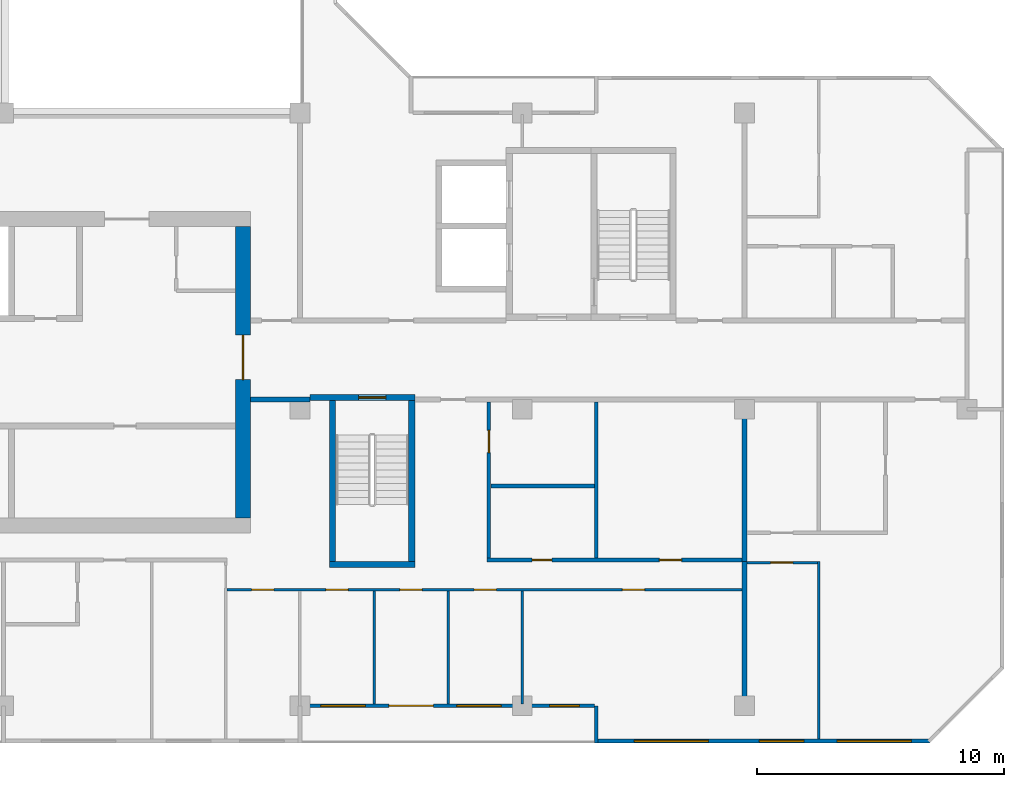
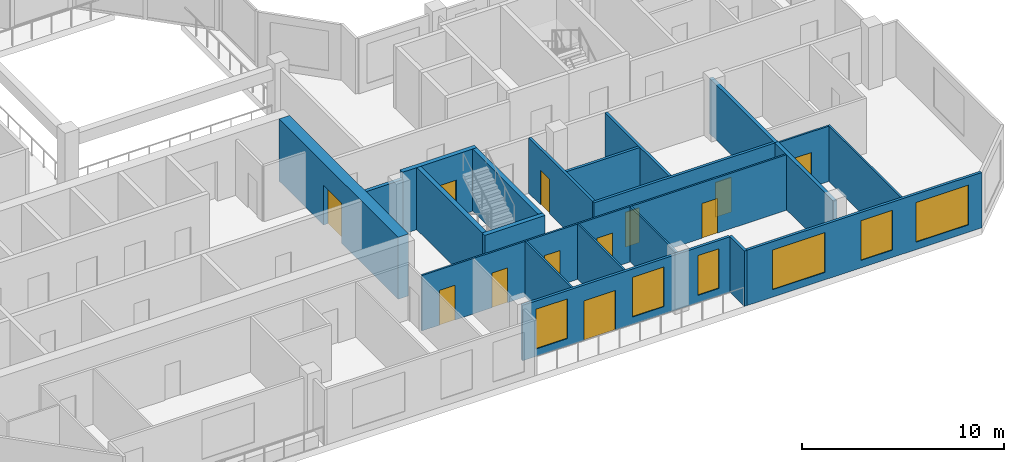
# One storey, part 6 of 13: 21 walls, 12 doors, 6 windows, 18 openings.
"""IFC4 building model written with IfcOpenShell, lengths in metres."""

import ifcopenshell
import ifcopenshell.guid

model = None  # the IFC model being written
_history = None  # IfcOwnerHistory: only IFC2X3 demands one
_inside = {}  # id of a spatial element -> (the spatial element, [elements in it])
_under = {}  # id of a project, library or spatial element -> (it, [spatial elements below it])
_declared = {}  # id of a project -> (the project, [libraries it declares])
_typed = {}  # id of a type object -> (the type object, [elements of that type])
_made_of = {}  # id of a material, layer set ... -> (it, [elements and type objects made of it])


def new_model(schema):
    """Start an empty IFC model of exactly this schema.

    Asked for "IFC4X3", IfcOpenShell would pick the latest addendum, in which some entities
    have other attributes; the version numbers below select the first issue.
    IFC2X3 requires an IfcOwnerHistory on every rooted entity: one is made here for all.
    """
    global model, _history
    if schema == "IFC4X3":
        model = ifcopenshell.file(schema_version=(4, 3, 0, 0))
    else:
        model = ifcopenshell.file(schema=schema)
    _inside.clear()
    _under.clear()
    _declared.clear()
    _typed.clear()
    _made_of.clear()
    _history = None
    if model.schema == "IFC2X3":
        org = make("IfcOrganization", Name="unknown")
        user = make(
            "IfcPersonAndOrganization",
            ThePerson=make("IfcPerson", FamilyName="unknown"),
            TheOrganization=org,
        )
        app = make(
            "IfcApplication",
            ApplicationDeveloper=org,
            Version="unknown",
            ApplicationFullName="unknown",
            ApplicationIdentifier="unknown",
        )
        _history = make(
            "IfcOwnerHistory",
            OwningUser=user,
            OwningApplication=app,
            ChangeAction="ADDED",
            CreationDate=0,
        )
    return model


def make(cls, **values):
    """One entity of the class cls with the attributes given. An attribute that is None is left unset."""
    return model.create_entity(
        cls, **{name: value for name, value in values.items() if value is not None}
    )


def rooted(cls, **values):
    """An entity with a GlobalId (a new one), such as an element, a storey or a relation."""
    return make(cls, GlobalId=ifcopenshell.guid.new(), OwnerHistory=_history, **values)


def si_unit(unit_type, name, prefix=None):
    """IfcSIUnit, for example si_unit("LENGTHUNIT", "METRE", prefix="MILLI")."""
    return make("IfcSIUnit", UnitType=unit_type, Prefix=prefix, Name=name)


def assignment(units):
    """IfcUnitAssignment: the units of a project."""
    return None if units is None else make("IfcUnitAssignment", Units=units)


def point(xyz):
    """IfcCartesianPoint."""
    return None if xyz is None else make("IfcCartesianPoint", Coordinates=xyz)


def direction(xyz):
    """IfcDirection."""
    return None if xyz is None else make("IfcDirection", DirectionRatios=xyz)


def frame(location, z_axis=None, x_axis=None):
    """IfcAxis2Placement3D, a coordinate frame: its origin and axes. An axis left out is left unset."""
    return make(
        "IfcAxis2Placement3D",
        Location=point(location),
        Axis=direction(z_axis),
        RefDirection=direction(x_axis),
    )


def frame_2d(location, x_axis=None):
    """IfcAxis2Placement2D, a coordinate frame in the plane: its origin and x axis."""
    return make(
        "IfcAxis2Placement2D", Location=point(location), RefDirection=direction(x_axis)
    )


def origin():
    """The frame at (0, 0, 0) with its axes left unset."""
    return frame((0.0, 0.0, 0.0))


def place(relative_to, where):
    """IfcLocalPlacement: puts the frame where relative to a parent placement (None: the world)."""
    return make(
        "IfcLocalPlacement", PlacementRelTo=relative_to, RelativePlacement=where
    )


def context(
    kind, dimensions, precision=None, world=None, true_north=None, identifier=None
):
    """IfcGeometricRepresentationContext, for example the 3D "Model" context."""
    return make(
        "IfcGeometricRepresentationContext",
        ContextIdentifier=identifier,
        ContextType=kind,
        CoordinateSpaceDimension=dimensions,
        Precision=precision,
        WorldCoordinateSystem=world,
        TrueNorth=true_north,
    )


def subcontext(parent, identifier, kind, view, scale=None):
    """IfcGeometricRepresentationSubContext, for example "Body" below "Model"."""
    return make(
        "IfcGeometricRepresentationSubContext",
        ContextIdentifier=identifier,
        ContextType=kind,
        ParentContext=parent,
        TargetScale=scale,
        TargetView=view,
    )


def project(units=None, contexts=None):
    """IfcProject with its units and contexts."""
    return rooted(
        "IfcProject",
        Name="project",
        RepresentationContexts=contexts,
        UnitsInContext=assignment(units),
    )


def spatial(cls, under=None, at=None, **own):
    """A site, building, storey or space (cls), placed at a placement, below another one or the project."""
    s = rooted(cls, ObjectPlacement=at, **own)
    if under is not None:
        _under.setdefault(under.id(), (under, []))[1].append(s)
    return s


def profile(cls, at=None, kind="AREA", **sizes):
    """A parametric profile (cls). Its sizes go by their IFC names, for example OverallWidth=200.0."""
    return make(cls, ProfileType=kind, Position=at, **sizes)


def rectangle(**sizes):
    """IfcRectangleProfileDef."""
    return profile("IfcRectangleProfileDef", **sizes)


def extrude(swept, where, along, depth):
    """IfcExtrudedAreaSolid: the profile swept, set in the frame where, extruded along a direction by depth."""
    return make(
        "IfcExtrudedAreaSolid",
        SweptArea=swept,
        Position=where,
        ExtrudedDirection=direction(along),
        Depth=depth,
    )


def shape(context_of_items, identifier, shape_type, items):
    """IfcShapeRepresentation: the items that make up one representation, for example the "Body"."""
    return make(
        "IfcShapeRepresentation",
        ContextOfItems=context_of_items,
        RepresentationIdentifier=identifier,
        RepresentationType=shape_type,
        Items=items,
    )


def material(Name=None, Category=None):
    """IfcMaterial."""
    return make("IfcMaterial", Name=Name, Category=Category)


def layer(
    of_material, thickness, ventilated=None, Name=None, Category=None, Priority=None
):
    """IfcMaterialLayer: one layer of a wall or slab, of a material (None: an air gap)."""
    return make(
        "IfcMaterialLayer",
        Material=of_material,
        LayerThickness=thickness,
        IsVentilated=ventilated,
        Name=Name,
        Category=Category,
        Priority=Priority,
    )


def layer_set(layers, Name=None):
    """IfcMaterialLayerSet."""
    return make("IfcMaterialLayerSet", MaterialLayers=layers, LayerSetName=Name)


def made_of(thing, what):
    """Note that an element or type object is made of a material, layer set ...; save() writes the relation."""
    if what is not None:
        _made_of.setdefault(what.id(), (what, []))[1].append(thing)
    return thing


def type_object(cls, material=None, **own):
    """A type object (cls), such as IfcWallType, which elements share."""
    return made_of(rooted(cls, **own), material)


def element(
    cls,
    number,
    at=None,
    inside=None,
    cuts=None,
    type_object=None,
    material=None,
    context=None,
    identifier="Body",
    shape_type=None,
    held_by="IfcProductDefinitionShape",
    body=None,
    shapes=None,
    **own,
):
    """One element of the class cls, such as IfcWall. Its Tag is "e" and its number.

    at: its placement. inside: the storey or other place that contains it. cuts: it is an
    opening in that element (IfcRelVoidsElement). A single representation is given by context,
    identifier, shape_type and body (its items); several are given by shapes. held_by: the class
    of the entity that holds the representations. save() writes the other relations.
    """
    e = rooted(cls, Tag="e%d" % number, ObjectPlacement=at, **own)
    if body is not None:
        shapes = [shape(context, identifier, shape_type, body)]
    if shapes is not None:
        e.Representation = make(held_by, Representations=shapes)
    if inside is not None:
        _inside.setdefault(inside.id(), (inside, []))[1].append(e)
    if cuts is not None:
        rooted(
            "IfcRelVoidsElement", RelatingBuildingElement=cuts, RelatedOpeningElement=e
        )
    if type_object is not None:
        _typed.setdefault(type_object.id(), (type_object, []))[1].append(e)
    return made_of(e, material)


def fill(opening, filler):
    """IfcRelFillsElement: the door or window that sits in an opening."""
    return rooted(
        "IfcRelFillsElement",
        RelatingOpeningElement=opening,
        RelatedBuildingElement=filler,
    )


def aggregate(whole, parts):
    """IfcRelAggregates: a whole, such as a stair, and the parts it consists of."""
    return rooted("IfcRelAggregates", RelatingObject=whole, RelatedObjects=parts)


def save(model, path):
    """Write the relations noted so far, then the file.

    IfcRelAggregates (storeys below a building ...), IfcRelContainedInSpatialStructure (elements
    in a storey), IfcRelDefinesByType, IfcRelAssociatesMaterial and IfcRelDeclares: one each for
    every whole, place, type object, material and project.
    """
    for whole, parts in _under.values():
        aggregate(whole, parts)
    for where, things in _inside.values():
        rooted(
            "IfcRelContainedInSpatialStructure",
            RelatedElements=things,
            RelatingStructure=where,
        )
    for kind, things in _typed.values():
        rooted("IfcRelDefinesByType", RelatedObjects=things, RelatingType=kind)
    for what, things in _made_of.values():
        rooted("IfcRelAssociatesMaterial", RelatedObjects=things, RelatingMaterial=what)
    for by, libraries in _declared.values():
        rooted("IfcRelDeclares", RelatingContext=by, RelatedDefinitions=libraries)
    model.write(path)


model = new_model("IFC4")

# Units and contexts
model_context = context("Model", 3, precision=1e-05, world=origin(), true_north=direction((0.0, 1.0)))
body_context = subcontext(model_context, "Body", "Model", "MODEL_VIEW")
ifc_project = project(units=[si_unit("LENGTHUNIT", "METRE"), si_unit("AREAUNIT", "SQUARE_METRE"), si_unit("VOLUMEUNIT", "CUBIC_METRE"), si_unit("PLANEANGLEUNIT", "RADIAN"), si_unit("MASSUNIT", "GRAM", prefix="KILO")], contexts=[model_context])

# Site, building, storey
site_placement = place(None, origin())
site = spatial("IfcSite", under=ifc_project, at=site_placement, CompositionType="ELEMENT")
building_placement = place(site_placement, origin())
building = spatial("IfcBuilding", under=site, at=building_placement, Name="Chenar Terraces", CompositionType="ELEMENT")
storey_placement = place(building_placement, frame((0.0, 0.0, 299.64990234375)))
storey = spatial("IfcBuildingStorey", under=building, at=storey_placement, Name="L70", CompositionType="ELEMENT", Elevation=299.64990234375)

# Wall
ifc_material_1 = material(Name="Concrete C50/60", Category="concrete")
ifc_layer_1 = layer(ifc_material_1, 0.25)
ifc_layer_set_1 = layer_set([ifc_layer_1], Name="Concrete C50/60")
wall_type_1 = type_object("IfcWallType", Name="Core wall 250 Concrete C50/60", PredefinedType="SHEAR", material=ifc_layer_set_1)
wall_1_placement = place(storey_placement, frame((37.199951171875, 5.72509765625, 0.0), z_axis=(0.0, 0.0, 1.0), x_axis=(1.0, 0.0, 0.0)))
element("IfcWall", 1, at=wall_1_placement, inside=storey, type_object=wall_type_1, Name="Core wall ST2_S L70", PredefinedType="SHEAR", context=body_context, shape_type="SweptSolid", body=[
    extrude(rectangle(XDim=3.449951171875, YDim=0.25, at=frame_2d((1.72509765625, 0.0))), origin(), (0.0, 0.0, 1.0), 3.75),
])

# Wall, opening, door
wall_2_placement = place(storey_placement, frame((36.39990234375, 12.47509765625, 0.0), z_axis=(0.0, 0.0, 1.0), x_axis=(1.0, 0.0, 0.0)))
wall_2 = element("IfcWall", 2, at=wall_2_placement, inside=storey, type_object=wall_type_1, Name="Core wall ST2_N L70", PredefinedType="SHEAR", context=body_context, shape_type="SweptSolid", body=[
    extrude(rectangle(XDim=4.25, YDim=0.25, at=frame_2d((2.125, 0.0))), origin(), (0.0, 0.0, 1.0), 3.75),
])
opening_1_placement = place(wall_2_placement, frame((1.97509765625, 0.0, 0.0)))
opening_1 = element("IfcOpeningElement", 3, at=opening_1_placement, cuts=wall_2, Name="Opening DL70-C7", PredefinedType="OPENING", context=body_context, shape_type="SweptSolid", body=[
    extrude(rectangle(XDim=1.10009765625, YDim=2.199951171875, at=frame_2d((0.550048828125, 1.10009765625))), frame((0.0, 0.135009765625, 0.0), z_axis=(0.0, -1.0, 0.0), x_axis=(1.0, 0.0, 0.0)), (0.0, 0.0, 1.0), 0.27001953125),
])
ifc_material_2 = material(Name="Steel-framed fire-resisting door leaf", Category="steel")
door_type_1 = type_object("IfcDoorType", Name="Stair fire door FD60 1100 x 2200", OperationType="SINGLE_SWING_LEFT", PredefinedType="DOOR", material=ifc_material_2)
door_1_placement = place(opening_1_placement, frame((1.10009765625, 0.0, 0.0), z_axis=(0.0, 0.0, 1.0), x_axis=(-1.0, 0.0, 0.0)))
door_1 = element("IfcDoor", 4, at=door_1_placement, inside=storey, type_object=door_type_1, Name="Stair door DL70-C7", OperationType="SINGLE_SWING_LEFT", OverallHeight=2.199951171875, OverallWidth=1.10009765625, PredefinedType="DOOR", context=body_context, shape_type="SweptSolid", body=[
    extrude(rectangle(XDim=1.10009765625, YDim=2.199951171875, at=frame_2d((0.550048828125, 1.10009765625))), frame((0.0, 0.02490234375, 0.0), z_axis=(0.0, -1.0, 0.0), x_axis=(1.0, 0.0, 0.0)), (0.0, 0.0, 1.0), 0.050048828125),
])
fill(opening_1, door_1)

# Walls
for number, where, z_axis, x_axis, name in (
    (5, (37.324951171875, 5.85009765625, 0.0), (0.0, 0.0, 1.0), (0.0, 1.0, 0.0), "Core wall ST2_W L70"),
    (6, (40.52490234375, 5.85009765625, 0.0), (0.0, 0.0, 1.0), (0.0, 1.0, 0.0), "Core wall ST2_E L70"),
):
    element("IfcWall", number, at=place(storey_placement, frame(where, z_axis=z_axis, x_axis=x_axis)), inside=storey, type_object=wall_type_1, Name=name, PredefinedType="SHEAR", context=body_context, shape_type="SweptSolid", body=[
        extrude(rectangle(XDim=6.5, YDim=0.25, at=frame_2d((3.25, 0.0))), origin(), (0.0, 0.0, 1.0), 3.75),
    ])

# Wall, opening, door
ifc_material_3 = material(Name="Concrete C50/60", Category="concrete")
ifc_layer_2 = layer(ifc_material_3, 0.60009765625)
ifc_layer_set_2 = layer_set([ifc_layer_2], Name="Concrete C50/60")
wall_type_2 = type_object("IfcWallType", Name="Core wall 600 Concrete C50/60", PredefinedType="SHEAR", material=ifc_layer_set_2)
wall_3_placement = place(storey_placement, frame((33.699951171875, 7.60009765625, 0.0), z_axis=(0.0, 0.0, 1.0), x_axis=(0.0, 1.0, 0.0)))
wall_3 = element("IfcWall", 7, at=wall_3_placement, inside=storey, type_object=wall_type_2, Name="Core wall E L70", PredefinedType="SHEAR", context=body_context, shape_type="SweptSolid", body=[
    extrude(rectangle(XDim=11.7998046875, YDim=0.60009765625, at=frame_2d((5.89990234375, 0.0))), origin(), (0.0, 0.0, 1.0), 3.75),
])
opening_2_placement = place(wall_3_placement, frame((5.60009765625, 0.0, 0.0)))
opening_2 = element("IfcOpeningElement", 8, at=opening_2_placement, cuts=wall_3, Name="Opening DL70-C1", PredefinedType="OPENING", context=body_context, shape_type="SweptSolid", body=[
    extrude(rectangle(XDim=1.800048828125, YDim=2.39990234375, at=frame_2d((0.89990234375, 1.199951171875))), frame((0.0, 0.31005859375, 0.0), z_axis=(0.0, -1.0, 0.0), x_axis=(1.0, 0.0, 0.0)), (0.0, 0.0, 1.0), 0.6201171875),
])
ifc_material_4 = material(Name="Steel-framed fire-resisting door leaf", Category="steel")
door_type_2 = type_object("IfcDoorType", Name="Core entrance double fire door FD60 1800 x 2400", OperationType="DOUBLE_DOOR_SINGLE_SWING", PredefinedType="DOOR", material=ifc_material_4)
door_2_placement = place(opening_2_placement, origin())
door_2 = element("IfcDoor", 9, at=door_2_placement, inside=storey, type_object=door_type_2, Name="Core door DL70-C1", OperationType="DOUBLE_DOOR_SINGLE_SWING", OverallHeight=2.39990234375, OverallWidth=1.800048828125, PredefinedType="DOOR", context=body_context, shape_type="SweptSolid", body=[
    extrude(rectangle(XDim=1.800048828125, YDim=2.39990234375, at=frame_2d((0.89990234375, 1.199951171875))), frame((0.0, 0.02490234375, 0.0), z_axis=(0.0, -1.0, 0.0), x_axis=(1.0, 0.0, 0.0)), (0.0, 0.0, 1.0), 0.050048828125),
])
fill(opening_2, door_2)

# Wall
ifc_material_5 = material(Name="Gypsum board on steel studs with fire boards", Category="steel")
ifc_layer_3 = layer(ifc_material_5, 0.199951171875)
ifc_layer_set_3 = layer_set([ifc_layer_3], Name="Gypsum board on steel studs with fire boards")
wall_type_3 = type_object("IfcWallType", Name="Corridor wall 200", PredefinedType="PARTITIONING", material=ifc_layer_set_3)
wall_4_placement = place(storey_placement, frame((34.0, 12.39990234375, 0.0), z_axis=(0.0, 0.0, 1.0), x_axis=(1.0, 0.0, 0.0)))
element("IfcWall", 10, at=wall_4_placement, inside=storey, type_object=wall_type_3, Name="Partition L70-051", PredefinedType="PARTITIONING", context=body_context, shape_type="SweptSolid", body=[
    extrude(rectangle(XDim=2.40087890625, YDim=0.199951171875, at=frame_2d((1.200439453125, 0.0))), origin(), (0.0, 0.0, 1.0), 3.35009765625),
])

# Wall, openings, windows
ifc_material_6 = material(Name="Aluminium framed glazing", Category="aluminium")
ifc_layer_4 = layer(ifc_material_6, 0.14990234375)
ifc_layer_set_4 = layer_set([ifc_layer_4], Name="Aluminium framed glazing")
wall_type_4 = type_object("IfcWallType", Name="Glazed flush facade wall 150", PredefinedType="SOLIDWALL", material=ifc_layer_set_4)
wall_5_placement = place(storey_placement, frame((48.074951171875, -1.425048828125, 0.0), z_axis=(0.0, 0.0, 1.0), x_axis=(1.0, 0.0, 0.0)))
wall_5 = element("IfcWall", 11, at=wall_5_placement, inside=storey, type_object=wall_type_4, Name="Glazed flush facade wall", PredefinedType="SOLIDWALL", context=body_context, shape_type="SweptSolid", body=[
    extrude(rectangle(XDim=13.425048828125, YDim=0.14990234375, at=frame_2d((6.71240234375, 0.0))), origin(), (0.0, 0.0, 1.0), 3.35009765625),
])
opening_3_placement = place(wall_5_placement, frame((1.46240234375, 0.0, 0.449951171875)))
opening_3 = element("IfcOpeningElement", 12, at=opening_3_placement, cuts=wall_5, Name="Opening W300x240", PredefinedType="OPENING", context=body_context, shape_type="SweptSolid", body=[
    extrude(rectangle(XDim=3.0, YDim=2.39990234375, at=frame_2d((1.5, 1.199951171875))), frame((0.0, 0.0849609375, 0.0), z_axis=(0.0, -1.0, 0.0), x_axis=(1.0, 0.0, 0.0)), (0.0, 0.0, 1.0), 0.169921875),
])
opening_4_placement = place(wall_5_placement, frame((6.52490234375, 0.0, 0.449951171875)))
opening_4 = element("IfcOpeningElement", 13, at=opening_4_placement, cuts=wall_5, Name="Opening W180x240", PredefinedType="OPENING", context=body_context, shape_type="SweptSolid", body=[
    extrude(rectangle(XDim=1.800048828125, YDim=2.39990234375, at=frame_2d((0.89990234375, 1.199951171875))), frame((0.0, 0.0849609375, 0.0), z_axis=(0.0, -1.0, 0.0), x_axis=(1.0, 0.0, 0.0)), (0.0, 0.0, 1.0), 0.169921875),
])
opening_5_placement = place(wall_5_placement, frame((9.675048828125, 0.0, 0.449951171875)))
opening_5 = element("IfcOpeningElement", 14, at=opening_5_placement, cuts=wall_5, Name="Opening W300x240", PredefinedType="OPENING", context=body_context, shape_type="SweptSolid", body=[
    extrude(rectangle(XDim=3.0, YDim=2.39990234375, at=frame_2d((1.5, 1.199951171875))), frame((0.0, 0.0849609375, 0.0), z_axis=(0.0, -1.0, 0.0), x_axis=(1.0, 0.0, 0.0)), (0.0, 0.0, 1.0), 0.169921875),
])
ifc_material_7 = material(Name="Low emissivity double glazing, aluminium frame", Category="aluminium")
window_type_1 = type_object("IfcWindowType", Name="Fixed light 1800 x 2400", PartitioningType="SINGLE_PANEL", PredefinedType="WINDOW", material=ifc_material_7)
window_1_placement = place(opening_4_placement, origin())
window_1 = element("IfcWindow", 15, at=window_1_placement, inside=storey, type_object=window_type_1, Name="Window", OverallHeight=2.39990234375, OverallWidth=1.800048828125, PartitioningType="SINGLE_PANEL", PredefinedType="WINDOW", context=body_context, shape_type="SweptSolid", body=[
    extrude(rectangle(XDim=1.800048828125, YDim=2.39990234375, at=frame_2d((0.89990234375, 1.199951171875))), frame((0.0, 0.030029296875, 0.0), z_axis=(0.0, -1.0, 0.0), x_axis=(1.0, 0.0, 0.0)), (0.0, 0.0, 1.0), 0.06005859375),
])
fill(opening_4, window_1)
ifc_material_8 = material(Name="Low emissivity double glazing, aluminium frame", Category="aluminium")
window_type_2 = type_object("IfcWindowType", Name="Fixed light 3000 x 2400", PartitioningType="SINGLE_PANEL", PredefinedType="WINDOW", material=ifc_material_8)
window_2_placement = place(opening_3_placement, origin())
window_2 = element("IfcWindow", 16, at=window_2_placement, inside=storey, type_object=window_type_2, Name="Window", OverallHeight=2.39990234375, OverallWidth=3.0, PartitioningType="SINGLE_PANEL", PredefinedType="WINDOW", context=body_context, shape_type="SweptSolid", body=[
    extrude(rectangle(XDim=3.0, YDim=2.39990234375, at=frame_2d((1.5, 1.199951171875))), frame((0.0, 0.030029296875, 0.0), z_axis=(0.0, -1.0, 0.0), x_axis=(1.0, 0.0, 0.0)), (0.0, 0.0, 1.0), 0.06005859375),
])
fill(opening_3, window_2)
window_3_placement = place(opening_5_placement, origin())
window_3 = element("IfcWindow", 17, at=window_3_placement, inside=storey, type_object=window_type_2, Name="Window", OverallHeight=2.39990234375, OverallWidth=3.0, PartitioningType="SINGLE_PANEL", PredefinedType="WINDOW", context=body_context, shape_type="SweptSolid", body=[
    extrude(rectangle(XDim=3.0, YDim=2.39990234375, at=frame_2d((1.5, 1.199951171875))), frame((0.0, 0.030029296875, 0.0), z_axis=(0.0, -1.0, 0.0), x_axis=(1.0, 0.0, 0.0)), (0.0, 0.0, 1.0), 0.06005859375),
])
fill(opening_5, window_3)

# Wall, openings, windows, door
ifc_material_9 = material(Name="Aluminium framed glazing", Category="aluminium")
ifc_layer_5 = layer(ifc_material_9, 0.14990234375)
ifc_layer_set_5 = layer_set([ifc_layer_5], Name="Aluminium framed glazing")
wall_type_5 = type_object("IfcWallType", Name="Glazed loggia back wall 150", PredefinedType="SOLIDWALL", material=ifc_layer_set_5)
wall_6_placement = place(storey_placement, frame((36.074951171875, 0.0, 0.0), z_axis=(0.0, 0.0, 1.0), x_axis=(1.0, 0.0, 0.0)))
wall_6 = element("IfcWall", 18, at=wall_6_placement, inside=storey, type_object=wall_type_5, Name="Glazed loggia back wall", PredefinedType="SOLIDWALL", context=body_context, shape_type="SweptSolid", body=[
    extrude(rectangle(XDim=11.85009765625, YDim=0.14990234375, at=frame_2d((5.925048828125, 0.0))), origin(), (0.0, 0.0, 1.0), 3.35009765625),
])
opening_6_placement = place(wall_6_placement, frame((0.77490234375, 0.0, 0.449951171875)))
opening_6 = element("IfcOpeningElement", 19, at=opening_6_placement, cuts=wall_6, Name="Opening W180x240", PredefinedType="OPENING", context=body_context, shape_type="SweptSolid", body=[
    extrude(rectangle(XDim=1.800048828125, YDim=2.39990234375, at=frame_2d((0.89990234375, 1.199951171875))), frame((0.0, 0.0849609375, 0.0), z_axis=(0.0, -1.0, 0.0), x_axis=(1.0, 0.0, 0.0)), (0.0, 0.0, 1.0), 0.169921875),
])
opening_7_placement = place(wall_6_placement, frame((3.52490234375, 0.0, 0.0)))
opening_7 = element("IfcOpeningElement", 20, at=opening_7_placement, cuts=wall_6, Name="Opening DL70-G5", PredefinedType="OPENING", context=body_context, shape_type="SweptSolid", body=[
    extrude(rectangle(XDim=1.800048828125, YDim=2.39990234375, at=frame_2d((0.89990234375, 1.199951171875))), frame((0.0, 0.0849609375, 0.0), z_axis=(0.0, -1.0, 0.0), x_axis=(1.0, 0.0, 0.0)), (0.0, 0.0, 1.0), 0.169921875),
])
opening_8_placement = place(wall_6_placement, frame((6.27490234375, 0.0, 0.449951171875)))
opening_8 = element("IfcOpeningElement", 21, at=opening_8_placement, cuts=wall_6, Name="Opening W180x240", PredefinedType="OPENING", context=body_context, shape_type="SweptSolid", body=[
    extrude(rectangle(XDim=1.800048828125, YDim=2.39990234375, at=frame_2d((0.89990234375, 1.199951171875))), frame((0.0, 0.0849609375, 0.0), z_axis=(0.0, -1.0, 0.0), x_axis=(1.0, 0.0, 0.0)), (0.0, 0.0, 1.0), 0.169921875),
])
opening_9_placement = place(wall_6_placement, frame((10.03759765625, 0.0, 0.449951171875)))
opening_9 = element("IfcOpeningElement", 22, at=opening_9_placement, cuts=wall_6, Name="Opening W120x240", PredefinedType="OPENING", context=body_context, shape_type="SweptSolid", body=[
    extrude(rectangle(XDim=1.199951171875, YDim=2.39990234375, at=frame_2d((0.60009765625, 1.199951171875))), frame((0.0, 0.0849609375, 0.0), z_axis=(0.0, -1.0, 0.0), x_axis=(1.0, 0.0, 0.0)), (0.0, 0.0, 1.0), 0.169921875),
])
ifc_material_10 = material(Name="Low emissivity double glazing, aluminium frame", Category="aluminium")
window_type_3 = type_object("IfcWindowType", Name="Fixed light 1200 x 2400", PartitioningType="SINGLE_PANEL", PredefinedType="WINDOW", material=ifc_material_10)
window_4_placement = place(opening_9_placement, origin())
window_4 = element("IfcWindow", 23, at=window_4_placement, inside=storey, type_object=window_type_3, Name="Window", OverallHeight=2.39990234375, OverallWidth=1.199951171875, PartitioningType="SINGLE_PANEL", PredefinedType="WINDOW", context=body_context, shape_type="SweptSolid", body=[
    extrude(rectangle(XDim=1.199951171875, YDim=2.39990234375, at=frame_2d((0.60009765625, 1.199951171875))), frame((0.0, 0.030029296875, 0.0), z_axis=(0.0, -1.0, 0.0), x_axis=(1.0, 0.0, 0.0)), (0.0, 0.0, 1.0), 0.06005859375),
])
fill(opening_9, window_4)
window_5_placement = place(opening_6_placement, origin())
window_5 = element("IfcWindow", 24, at=window_5_placement, inside=storey, type_object=window_type_1, Name="Window", OverallHeight=2.39990234375, OverallWidth=1.800048828125, PartitioningType="SINGLE_PANEL", PredefinedType="WINDOW", context=body_context, shape_type="SweptSolid", body=[
    extrude(rectangle(XDim=1.800048828125, YDim=2.39990234375, at=frame_2d((0.89990234375, 1.199951171875))), frame((0.0, 0.030029296875, 0.0), z_axis=(0.0, -1.0, 0.0), x_axis=(1.0, 0.0, 0.0)), (0.0, 0.0, 1.0), 0.06005859375),
])
fill(opening_6, window_5)
window_6_placement = place(opening_8_placement, origin())
window_6 = element("IfcWindow", 25, at=window_6_placement, inside=storey, type_object=window_type_1, Name="Window", OverallHeight=2.39990234375, OverallWidth=1.800048828125, PartitioningType="SINGLE_PANEL", PredefinedType="WINDOW", context=body_context, shape_type="SweptSolid", body=[
    extrude(rectangle(XDim=1.800048828125, YDim=2.39990234375, at=frame_2d((0.89990234375, 1.199951171875))), frame((0.0, 0.030029296875, 0.0), z_axis=(0.0, -1.0, 0.0), x_axis=(1.0, 0.0, 0.0)), (0.0, 0.0, 1.0), 0.06005859375),
])
fill(opening_8, window_6)
ifc_material_11 = material(Name="Low emissivity double glazing, aluminium frame", Category="aluminium")
door_type_3 = type_object("IfcDoorType", Name="Loggia glazed double door 1800 x 2400", OperationType="DOUBLE_DOOR_SINGLE_SWING", PredefinedType="DOOR", material=ifc_material_11)
door_3_placement = place(opening_7_placement, frame((1.800048828125, 0.0, 0.0), z_axis=(0.0, 0.0, 1.0), x_axis=(-1.0, 0.0, 0.0)))
door_3 = element("IfcDoor", 26, at=door_3_placement, inside=storey, type_object=door_type_3, Name="Loggia glazed door", OperationType="DOUBLE_DOOR_SINGLE_SWING", OverallHeight=2.39990234375, OverallWidth=1.800048828125, PredefinedType="DOOR", context=body_context, shape_type="SweptSolid", body=[
    extrude(rectangle(XDim=1.800048828125, YDim=2.39990234375, at=frame_2d((0.89990234375, 1.199951171875))), frame((0.0, 0.02490234375, 0.0), z_axis=(0.0, -1.0, 0.0), x_axis=(1.0, 0.0, 0.0)), (0.0, 0.0, 1.0), 0.050048828125),
])
fill(opening_7, door_3)

# Wall, openings, doors
ifc_material_12 = material(Name="Gypsum board on steel studs", Category="steel")
ifc_layer_6 = layer(ifc_material_12, 0.10009765625)
ifc_layer_set_6 = layer_set([ifc_layer_6], Name="Gypsum board on steel studs")
wall_type_6 = type_object("IfcWallType", Name="Gypsum partition 100", PredefinedType="PARTITIONING", material=ifc_layer_set_6)
wall_7_placement = place(storey_placement, frame((33.050048828125, 4.699951171875, 0.0), z_axis=(0.0, 0.0, 1.0), x_axis=(1.0, 0.0, 0.0)))
wall_7 = element("IfcWall", 27, at=wall_7_placement, inside=storey, type_object=wall_type_6, Name="Partition L70-050", PredefinedType="PARTITIONING", context=body_context, shape_type="SweptSolid", body=[
    extrude(rectangle(XDim=20.849853515625, YDim=0.10009765625, at=frame_2d((10.4248046875, 0.0))), origin(), (0.0, 0.0, 1.0), 3.35009765625),
])
opening_10_placement = place(wall_7_placement, frame((1.0, 0.0, 0.0)))
opening_10 = element("IfcOpeningElement", 28, at=opening_10_placement, cuts=wall_7, Name="Opening DL70-35", PredefinedType="OPENING", context=body_context, shape_type="SweptSolid", body=[
    extrude(rectangle(XDim=0.89990234375, YDim=2.10009765625, at=frame_2d((0.449951171875, 1.050048828125))), frame((0.0, 0.06005859375, 0.0), z_axis=(0.0, -1.0, 0.0), x_axis=(1.0, 0.0, 0.0)), (0.0, 0.0, 1.0), 0.1201171875),
])
opening_11_placement = place(wall_7_placement, frame((4.0, 0.0, 0.0)))
opening_11 = element("IfcOpeningElement", 29, at=opening_11_placement, cuts=wall_7, Name="Opening DL70-36", PredefinedType="OPENING", context=body_context, shape_type="SweptSolid", body=[
    extrude(rectangle(XDim=0.89990234375, YDim=2.10009765625, at=frame_2d((0.449951171875, 1.050048828125))), frame((0.0, 0.06005859375, 0.0), z_axis=(0.0, -1.0, 0.0), x_axis=(1.0, 0.0, 0.0)), (0.0, 0.0, 1.0), 0.1201171875),
])
opening_12_placement = place(wall_7_placement, frame((7.0, 0.0, 0.0)))
opening_12 = element("IfcOpeningElement", 30, at=opening_12_placement, cuts=wall_7, Name="Opening DL70-37", PredefinedType="OPENING", context=body_context, shape_type="SweptSolid", body=[
    extrude(rectangle(XDim=0.89990234375, YDim=2.10009765625, at=frame_2d((0.449951171875, 1.050048828125))), frame((0.0, 0.06005859375, 0.0), z_axis=(0.0, -1.0, 0.0), x_axis=(1.0, 0.0, 0.0)), (0.0, 0.0, 1.0), 0.1201171875),
])
opening_13_placement = place(wall_7_placement, frame((10.0, 0.0, 0.0)))
opening_13 = element("IfcOpeningElement", 31, at=opening_13_placement, cuts=wall_7, Name="Opening DL70-38", PredefinedType="OPENING", context=body_context, shape_type="SweptSolid", body=[
    extrude(rectangle(XDim=0.89990234375, YDim=2.10009765625, at=frame_2d((0.449951171875, 1.050048828125))), frame((0.0, 0.06005859375, 0.0), z_axis=(0.0, -1.0, 0.0), x_axis=(1.0, 0.0, 0.0)), (0.0, 0.0, 1.0), 0.1201171875),
])
opening_14_placement = place(wall_7_placement, frame((16.0, 0.0, 0.0)))
opening_14 = element("IfcOpeningElement", 32, at=opening_14_placement, cuts=wall_7, Name="Opening DL70-46", PredefinedType="OPENING", context=body_context, shape_type="SweptSolid", body=[
    extrude(rectangle(XDim=0.89990234375, YDim=2.10009765625, at=frame_2d((0.449951171875, 1.050048828125))), frame((0.0, 0.06005859375, 0.0), z_axis=(0.0, -1.0, 0.0), x_axis=(1.0, 0.0, 0.0)), (0.0, 0.0, 1.0), 0.1201171875),
])
ifc_material_13 = material(Name="Veneered timber door leaf", Category="wood")
door_type_4 = type_object("IfcDoorType", Name="Door 900 x 2100", OperationType="SINGLE_SWING_LEFT", PredefinedType="DOOR", material=ifc_material_13)
door_4_placement = place(opening_10_placement, frame((0.89990234375, 0.0, 0.0), z_axis=(0.0, 0.0, 1.0), x_axis=(-1.0, 0.0, 0.0)))
door_4 = element("IfcDoor", 33, at=door_4_placement, inside=storey, type_object=door_type_4, Name="Door DL70-35", OperationType="SINGLE_SWING_LEFT", OverallHeight=2.10009765625, OverallWidth=0.89990234375, PredefinedType="DOOR", context=body_context, shape_type="SweptSolid", body=[
    extrude(rectangle(XDim=0.89990234375, YDim=2.10009765625, at=frame_2d((0.449951171875, 1.050048828125))), frame((0.0, 0.02490234375, 0.0), z_axis=(0.0, -1.0, 0.0), x_axis=(1.0, 0.0, 0.0)), (0.0, 0.0, 1.0), 0.050048828125),
])
fill(opening_10, door_4)
door_5_placement = place(opening_11_placement, frame((0.89990234375, 0.0, 0.0), z_axis=(0.0, 0.0, 1.0), x_axis=(-1.0, 0.0, 0.0)))
door_5 = element("IfcDoor", 34, at=door_5_placement, inside=storey, type_object=door_type_4, Name="Door DL70-36", OperationType="SINGLE_SWING_LEFT", OverallHeight=2.10009765625, OverallWidth=0.89990234375, PredefinedType="DOOR", context=body_context, shape_type="SweptSolid", body=[
    extrude(rectangle(XDim=0.89990234375, YDim=2.10009765625, at=frame_2d((0.449951171875, 1.050048828125))), frame((0.0, 0.02490234375, 0.0), z_axis=(0.0, -1.0, 0.0), x_axis=(1.0, 0.0, 0.0)), (0.0, 0.0, 1.0), 0.050048828125),
])
fill(opening_11, door_5)
door_6_placement = place(opening_12_placement, frame((0.89990234375, 0.0, 0.0), z_axis=(0.0, 0.0, 1.0), x_axis=(-1.0, 0.0, 0.0)))
door_6 = element("IfcDoor", 35, at=door_6_placement, inside=storey, type_object=door_type_4, Name="Door DL70-37", OperationType="SINGLE_SWING_LEFT", OverallHeight=2.10009765625, OverallWidth=0.89990234375, PredefinedType="DOOR", context=body_context, shape_type="SweptSolid", body=[
    extrude(rectangle(XDim=0.89990234375, YDim=2.10009765625, at=frame_2d((0.449951171875, 1.050048828125))), frame((0.0, 0.02490234375, 0.0), z_axis=(0.0, -1.0, 0.0), x_axis=(1.0, 0.0, 0.0)), (0.0, 0.0, 1.0), 0.050048828125),
])
fill(opening_12, door_6)
door_7_placement = place(opening_13_placement, frame((0.89990234375, 0.0, 0.0), z_axis=(0.0, 0.0, 1.0), x_axis=(-1.0, 0.0, 0.0)))
door_7 = element("IfcDoor", 36, at=door_7_placement, inside=storey, type_object=door_type_4, Name="Door DL70-38", OperationType="SINGLE_SWING_LEFT", OverallHeight=2.10009765625, OverallWidth=0.89990234375, PredefinedType="DOOR", context=body_context, shape_type="SweptSolid", body=[
    extrude(rectangle(XDim=0.89990234375, YDim=2.10009765625, at=frame_2d((0.449951171875, 1.050048828125))), frame((0.0, 0.02490234375, 0.0), z_axis=(0.0, -1.0, 0.0), x_axis=(1.0, 0.0, 0.0)), (0.0, 0.0, 1.0), 0.050048828125),
])
fill(opening_13, door_7)
door_8_placement = place(opening_14_placement, frame((0.89990234375, 0.0, 0.0), z_axis=(0.0, 0.0, 1.0), x_axis=(-1.0, 0.0, 0.0)))
door_8 = element("IfcDoor", 37, at=door_8_placement, inside=storey, type_object=door_type_4, Name="Door DL70-46", OperationType="SINGLE_SWING_LEFT", OverallHeight=2.10009765625, OverallWidth=0.89990234375, PredefinedType="DOOR", context=body_context, shape_type="SweptSolid", body=[
    extrude(rectangle(XDim=0.89990234375, YDim=2.10009765625, at=frame_2d((0.449951171875, 1.050048828125))), frame((0.0, 0.02490234375, 0.0), z_axis=(0.0, -1.0, 0.0), x_axis=(1.0, 0.0, 0.0)), (0.0, 0.0, 1.0), 0.050048828125),
])
fill(opening_14, door_8)

# Walls
for number, where, z_axis, x_axis, name in (
    (38, (39.0, 0.073974609375, 0.0), (0.0, 0.0, 1.0), (0.0, 1.0, 0.0), "Partition L70-055"),
    (39, (42.0, 0.073974609375, 0.0), (0.0, 0.0, 1.0), (0.0, 1.0, 0.0), "Partition L70-057"),
    (40, (45.0, 0.073974609375, 0.0), (0.0, 0.0, 1.0), (0.0, 1.0, 0.0), "Partition L70-061"),
):
    element("IfcWall", number, at=place(storey_placement, frame(where, z_axis=z_axis, x_axis=x_axis)), inside=storey, type_object=wall_type_6, Name=name, PredefinedType="PARTITIONING", context=body_context, shape_type="SweptSolid", body=[
        extrude(rectangle(XDim=4.575927734375, YDim=0.10009765625, at=frame_2d((2.2880859375, 0.0))), origin(), (0.0, 0.0, 1.0), 3.35009765625),
    ])

# Wall, opening, door
wall_8_placement = place(storey_placement, frame((54.10009765625, 5.800048828125, 0.0), z_axis=(0.0, 0.0, 1.0), x_axis=(1.0, 0.0, 0.0)))
wall_8 = element("IfcWall", 41, at=wall_8_placement, inside=storey, type_object=wall_type_6, Name="Partition L70-068", PredefinedType="PARTITIONING", context=body_context, shape_type="SweptSolid", body=[
    extrude(rectangle(XDim=2.849853515625, YDim=0.10009765625, at=frame_2d((1.4248046875, 0.0))), origin(), (0.0, 0.0, 1.0), 3.35009765625),
])
opening_15_placement = place(wall_8_placement, frame((0.949951171875, 0.0, 0.0)))
opening_15 = element("IfcOpeningElement", 42, at=opening_15_placement, cuts=wall_8, Name="Opening DL70-9", PredefinedType="OPENING", context=body_context, shape_type="SweptSolid", body=[
    extrude(rectangle(XDim=0.89990234375, YDim=2.10009765625, at=frame_2d((0.449951171875, 1.050048828125))), frame((0.0, 0.06005859375, 0.0), z_axis=(0.0, -1.0, 0.0), x_axis=(1.0, 0.0, 0.0)), (0.0, 0.0, 1.0), 0.1201171875),
])
door_9_placement = place(opening_15_placement, frame((0.89990234375, 0.0, 0.0), z_axis=(0.0, 0.0, 1.0), x_axis=(-1.0, 0.0, 0.0)))
door_9 = element("IfcDoor", 43, at=door_9_placement, inside=storey, type_object=door_type_4, Name="Door DL70-9", OperationType="SINGLE_SWING_LEFT", OverallHeight=2.10009765625, OverallWidth=0.89990234375, PredefinedType="DOOR", context=body_context, shape_type="SweptSolid", body=[
    extrude(rectangle(XDim=0.89990234375, YDim=2.10009765625, at=frame_2d((0.449951171875, 1.050048828125))), frame((0.0, 0.02490234375, 0.0), z_axis=(0.0, -1.0, 0.0), x_axis=(1.0, 0.0, 0.0)), (0.0, 0.0, 1.0), 0.050048828125),
])
fill(opening_15, door_9)

# Walls
wall_9_placement = place(storey_placement, frame((57.0, -1.35009765625, 0.0), z_axis=(0.0, 0.0, 1.0), x_axis=(0.0, 1.0, 0.0)))
element("IfcWall", 44, at=wall_9_placement, inside=storey, type_object=wall_type_6, Name="Partition L70-072", PredefinedType="PARTITIONING", context=body_context, shape_type="SweptSolid", body=[
    extrude(rectangle(XDim=7.2001953125, YDim=0.10009765625, at=frame_2d((3.60009765625, 0.0))), origin(), (0.0, 0.0, 1.0), 3.35009765625),
])
ifc_material_14 = material(Name="Terracotta cladding on insulated backing", Category="masonry")
ifc_layer_7 = layer(ifc_material_14, 0.14990234375)
ifc_layer_set_7 = layer_set([ifc_layer_7], Name="Terracotta cladding on insulated backing")
wall_type_7 = type_object("IfcWallType", Name="Loggia return wall 150", PredefinedType="SOLIDWALL", material=ifc_layer_set_7)
wall_10_placement = place(storey_placement, frame((48.0, -1.5, 0.0), z_axis=(0.0, 0.0, 1.0), x_axis=(0.0, 1.0, 0.0)))
element("IfcWall", 45, at=wall_10_placement, inside=storey, type_object=wall_type_7, Name="Loggia return wall", PredefinedType="SOLIDWALL", context=body_context, shape_type="SweptSolid", body=[
    extrude(rectangle(XDim=1.5, YDim=0.14990234375, at=frame_2d((0.75, 0.0))), origin(), (0.0, 0.0, 1.0), 3.35009765625),
])
ifc_material_15 = material(Name="Twin gypsum board on steel studs with mineral wool", Category="steel")
ifc_layer_8 = layer(ifc_material_15, 0.199951171875)
ifc_layer_set_8 = layer_set([ifc_layer_8], Name="Twin gypsum board on steel studs with mineral wool")
wall_type_8 = type_object("IfcWallType", Name="Unit demising wall 200", PredefinedType="PARTITIONING", material=ifc_layer_set_8)
wall_11_placement = place(storey_placement, frame((54.0, 0.0, 0.0), z_axis=(0.0, 0.0, 1.0), x_axis=(0.0, 1.0, 0.0)))
element("IfcWall", 46, at=wall_11_placement, inside=storey, type_object=wall_type_8, Name="Partition L70-065", PredefinedType="PARTITIONING", context=body_context, shape_type="SweptSolid", body=[
    extrude(rectangle(XDim=5.85009765625, YDim=0.199951171875, at=frame_2d((2.925048828125, 0.0))), origin(), (0.0, 0.0, 1.0), 3.35009765625),
])
wall_12_placement = place(storey_placement, frame((54.0, 5.824951171875, 0.0), z_axis=(0.0, 0.0, 1.0), x_axis=(0.0, 1.0, 0.0)))
element("IfcWall", 47, at=wall_12_placement, inside=storey, type_object=wall_type_8, Name="Partition L70-066", PredefinedType="PARTITIONING", context=body_context, shape_type="SweptSolid", body=[
    extrude(rectangle(XDim=6.47509765625, YDim=0.199951171875, at=frame_2d((3.237548828125, 0.0))), origin(), (0.0, 0.0, 1.0), 3.35009765625),
])

# Wall, openings, doors
ifc_material_16 = material(Name="Moisture-resistant gypsum board on steel studs", Category="steel")
ifc_layer_9 = layer(ifc_material_16, 0.14990234375)
ifc_layer_set_9 = layer_set([ifc_layer_9], Name="Moisture-resistant gypsum board on steel studs")
wall_type_9 = type_object("IfcWallType", Name="Wet-room partition 150", PredefinedType="PARTITIONING", material=ifc_layer_set_9)
wall_13_placement = place(storey_placement, frame((43.574951171875, 5.89990234375, 0.0), z_axis=(0.0, 0.0, 1.0), x_axis=(1.0, 0.0, 0.0)))
wall_13 = element("IfcWall", 48, at=wall_13_placement, inside=storey, type_object=wall_type_9, Name="Partition L70-058", PredefinedType="PARTITIONING", context=body_context, shape_type="SweptSolid", body=[
    extrude(rectangle(XDim=10.324951171875, YDim=0.14990234375, at=frame_2d((5.16259765625, 0.0))), origin(), (0.0, 0.0, 1.0), 3.35009765625),
])
opening_16_placement = place(wall_13_placement, frame((1.824951171875, 0.0, 0.0)))
opening_16 = element("IfcOpeningElement", 49, at=opening_16_placement, cuts=wall_13, Name="Opening DL70-32", PredefinedType="OPENING", context=body_context, shape_type="SweptSolid", body=[
    extrude(rectangle(XDim=0.800048828125, YDim=2.10009765625, at=frame_2d((0.39990234375, 1.050048828125))), frame((0.0, 0.0849609375, 0.0), z_axis=(0.0, -1.0, 0.0), x_axis=(1.0, 0.0, 0.0)), (0.0, 0.0, 1.0), 0.169921875),
])
opening_17_placement = place(wall_13_placement, frame((6.97509765625, 0.0, 0.0)))
opening_17 = element("IfcOpeningElement", 50, at=opening_17_placement, cuts=wall_13, Name="Opening DL70-47", PredefinedType="OPENING", context=body_context, shape_type="SweptSolid", body=[
    extrude(rectangle(XDim=0.89990234375, YDim=2.10009765625, at=frame_2d((0.449951171875, 1.050048828125))), frame((0.0, 0.0849609375, 0.0), z_axis=(0.0, -1.0, 0.0), x_axis=(1.0, 0.0, 0.0)), (0.0, 0.0, 1.0), 0.169921875),
])
ifc_material_17 = material(Name="Veneered timber door leaf", Category="wood")
door_type_5 = type_object("IfcDoorType", Name="Door 800 x 2100", OperationType="SINGLE_SWING_LEFT", PredefinedType="DOOR", material=ifc_material_17)
door_10_placement = place(opening_16_placement, origin())
door_10 = element("IfcDoor", 51, at=door_10_placement, inside=storey, type_object=door_type_5, Name="Door DL70-32", OperationType="SINGLE_SWING_RIGHT", OverallHeight=2.10009765625, OverallWidth=0.800048828125, PredefinedType="DOOR", context=body_context, shape_type="SweptSolid", body=[
    extrude(rectangle(XDim=0.800048828125, YDim=2.10009765625, at=frame_2d((0.39990234375, 1.050048828125))), frame((0.0, 0.02490234375, 0.0), z_axis=(0.0, -1.0, 0.0), x_axis=(1.0, 0.0, 0.0)), (0.0, 0.0, 1.0), 0.050048828125),
])
fill(opening_16, door_10)
door_11_placement = place(opening_17_placement, origin())
door_11 = element("IfcDoor", 52, at=door_11_placement, inside=storey, type_object=door_type_4, Name="Door DL70-47", OperationType="SINGLE_SWING_RIGHT", OverallHeight=2.10009765625, OverallWidth=0.89990234375, PredefinedType="DOOR", context=body_context, shape_type="SweptSolid", body=[
    extrude(rectangle(XDim=0.89990234375, YDim=2.10009765625, at=frame_2d((0.449951171875, 1.050048828125))), frame((0.0, 0.02490234375, 0.0), z_axis=(0.0, -1.0, 0.0), x_axis=(1.0, 0.0, 0.0)), (0.0, 0.0, 1.0), 0.050048828125),
])
fill(opening_17, door_11)

# Wall, opening, door
wall_14_placement = place(storey_placement, frame((43.64990234375, 5.97509765625, 0.0), z_axis=(0.0, 0.0, 1.0), x_axis=(0.0, 1.0, 0.0)))
wall_14 = element("IfcWall", 53, at=wall_14_placement, inside=storey, type_object=wall_type_9, Name="Partition L70-059", PredefinedType="PARTITIONING", context=body_context, shape_type="SweptSolid", body=[
    extrude(rectangle(XDim=6.324951171875, YDim=0.14990234375, at=frame_2d((3.16259765625, 0.0))), origin(), (0.0, 0.0, 1.0), 3.35009765625),
])
opening_18_placement = place(wall_14_placement, frame((4.27490234375, 0.0, 0.0)))
opening_18 = element("IfcOpeningElement", 54, at=opening_18_placement, cuts=wall_14, Name="Opening DL70-44", PredefinedType="OPENING", context=body_context, shape_type="SweptSolid", body=[
    extrude(rectangle(XDim=0.89990234375, YDim=2.10009765625, at=frame_2d((0.449951171875, 1.050048828125))), frame((0.0, 0.0849609375, 0.0), z_axis=(0.0, -1.0, 0.0), x_axis=(1.0, 0.0, 0.0)), (0.0, 0.0, 1.0), 0.169921875),
])
door_12_placement = place(opening_18_placement, frame((0.89990234375, 0.0, 0.0), z_axis=(0.0, 0.0, 1.0), x_axis=(-1.0, 0.0, 0.0)))
door_12 = element("IfcDoor", 55, at=door_12_placement, inside=storey, type_object=door_type_4, Name="Door DL70-44", OperationType="SINGLE_SWING_LEFT", OverallHeight=2.10009765625, OverallWidth=0.89990234375, PredefinedType="DOOR", context=body_context, shape_type="SweptSolid", body=[
    extrude(rectangle(XDim=0.89990234375, YDim=2.10009765625, at=frame_2d((0.449951171875, 1.050048828125))), frame((0.0, 0.02490234375, 0.0), z_axis=(0.0, -1.0, 0.0), x_axis=(1.0, 0.0, 0.0)), (0.0, 0.0, 1.0), 0.050048828125),
])
fill(opening_18, door_12)

# Walls
wall_15_placement = place(storey_placement, frame((43.72509765625, 8.89990234375, 0.0), z_axis=(0.0, 0.0, 1.0), x_axis=(1.0, 0.0, 0.0)))
element("IfcWall", 56, at=wall_15_placement, inside=storey, type_object=wall_type_9, Name="Partition L70-060", PredefinedType="PARTITIONING", context=body_context, shape_type="SweptSolid", body=[
    extrude(rectangle(XDim=4.199951171875, YDim=0.14990234375, at=frame_2d((2.10009765625, 0.0))), origin(), (0.0, 0.0, 1.0), 3.35009765625),
])
wall_16_placement = place(storey_placement, frame((48.0, 5.97509765625, 0.0), z_axis=(0.0, 0.0, 1.0), x_axis=(0.0, 1.0, 0.0)))
element("IfcWall", 57, at=wall_16_placement, inside=storey, type_object=wall_type_9, Name="Partition L70-063", PredefinedType="PARTITIONING", context=body_context, shape_type="SweptSolid", body=[
    extrude(rectangle(XDim=6.324951171875, YDim=0.14990234375, at=frame_2d((3.16259765625, 0.0))), origin(), (0.0, 0.0, 1.0), 3.35009765625),
])

save(model, "model.ifc")
